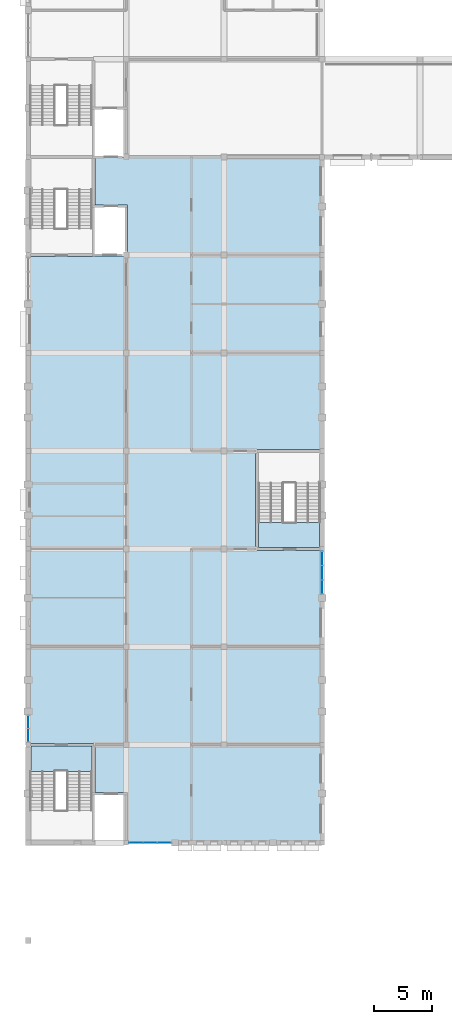
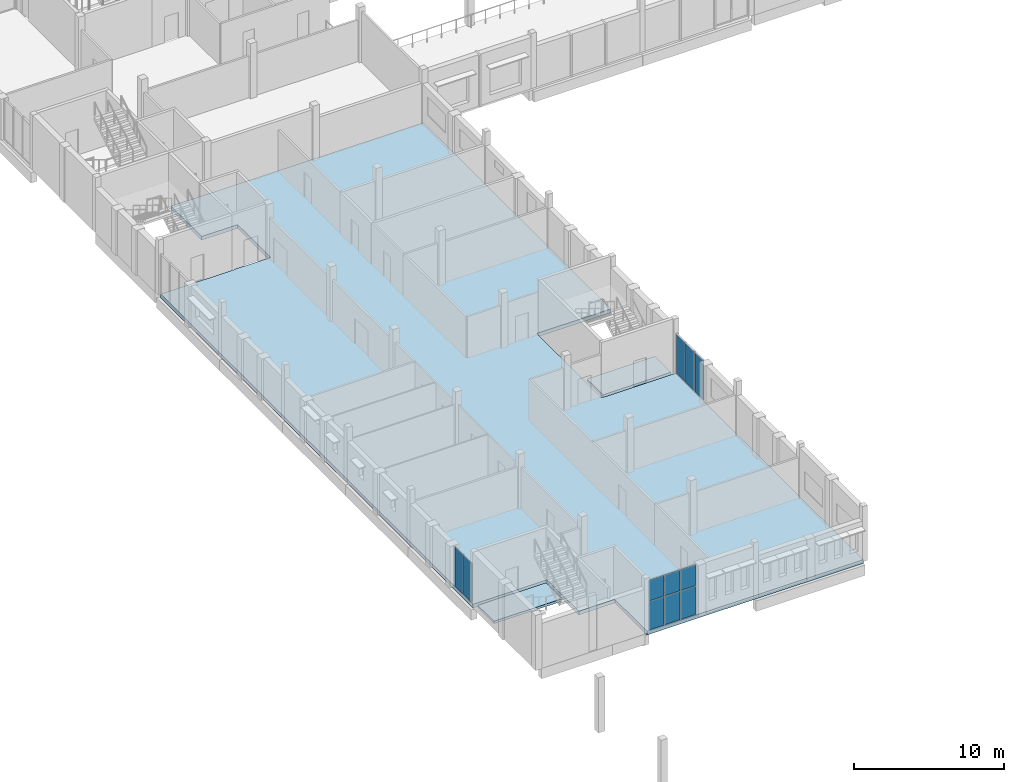
# One storey, part 19 of 38: 11 plates, 3 slabs, 5 elements without a shape of their own.
"""IFC4 building model written with IfcOpenShell, lengths in metres."""

from ifc_helpers import new_model, si_unit, direction, frame, origin, origin_2d, place, context, subcontext, project, spatial, polyline, rectangle, outline, extrude, material, layer, layer_set, type_object, element, aggregate, save


model = new_model("IFC4")

# Units and contexts
model_context = context("Model", 3, precision=1e-05, world=origin(), true_north=direction((0.0, 1.0)))
body_context = subcontext(model_context, "Body", "Model", "MODEL_VIEW")
ifc_project = project(units=[si_unit("LENGTHUNIT", "METRE"), si_unit("AREAUNIT", "SQUARE_METRE"), si_unit("VOLUMEUNIT", "CUBIC_METRE"), si_unit("PLANEANGLEUNIT", "RADIAN"), si_unit("MASSUNIT", "GRAM", prefix="KILO")], contexts=[model_context])

# Site, building, storey
site_placement = place(None, origin())
site = spatial("IfcSite", under=ifc_project, at=site_placement, CompositionType="ELEMENT")
building_placement = place(site_placement, origin())
building = spatial("IfcBuilding", under=site, at=building_placement, Name="Fescue Hill Polytechnic", CompositionType="ELEMENT")
storey_placement = place(building_placement, frame((0.0, 0.0, 18.0)))
storey = spatial("IfcBuildingStorey", under=building, at=storey_placement, Name="L04", CompositionType="ELEMENT", Elevation=18.0)

# Slab
ifc_material_1 = material(Name="Concrete 35 MPa", Category="concrete")
ifc_layer_1 = layer(ifc_material_1, 0.300048828125)
ifc_layer_set_1 = layer_set([ifc_layer_1], Name="Concrete 35 MPa")
slab_type_1 = type_object("IfcSlabType", Name="Floor slab 300", PredefinedType="FLOOR", material=ifc_layer_set_1)
slab_1_placement = place(storey_placement, frame((0.0, 0.0, -0.300048828125)))
element("IfcSlab", 1, at=slab_1_placement, inside=storey, type_object=slab_type_1, Name="SL-L04-V4-1", PredefinedType="FLOOR", context=body_context, shape_type="SweptSolid", body=[
    extrude(outline(polyline([(25.199951171875, 50.39990234375), (8.5, 50.39990234375), (8.5, 54.699951171875), (5.72509765625, 54.699951171875), (5.72509765625, 58.925048828125), (0.0, 58.925048828125), (0.0, 100.675048828125), (5.72509765625, 100.675048828125), (5.72509765625, 100.699951171875), (8.5, 100.699951171875), (8.5, 105.10009765625), (5.72509765625, 105.10009765625), (5.72509765625, 109.199951171875), (25.199951171875, 109.199951171875), (25.199951171875, 84.125), (19.47509765625, 84.125), (19.47509765625, 75.47509765625), (25.199951171875, 75.47509765625), (25.199951171875, 50.39990234375)])), origin(), (0.0, 0.0, 1.0), 0.300048828125),
])

# Curtain wall, plates
ifc_material_2 = material(Name="Glass", Category="glass")
curtain_wall_type = type_object("IfcCurtainWallType", Name="Curtain wall structural glazing", PredefinedType="NOTDEFINED", material=ifc_material_2)
curtain_wall_1_placement = place(storey_placement, origin())
curtain_wall_1 = element("IfcCurtainWall", 2, at=curtain_wall_1_placement, inside=storey, type_object=curtain_wall_type, Name="CW-L04-V4-X1", PredefinedType="NOTDEFINED")
ifc_layer_2 = layer(ifc_material_2, 0.028076171875)
ifc_layer_set_2 = layer_set([ifc_layer_2], Name="Glass")
plate_type = type_object("IfcPlateType", Name="Panel glazing 28", PredefinedType="CURTAIN_PANEL", material=ifc_layer_set_2)
plate_1_placement = place(storey_placement, frame((0.0, 60.760009765625, 0.06005859375), z_axis=(0.0, 0.0, 1.0), x_axis=(0.0, -1.0, 0.0)))
plate_1 = element("IfcPlate", 3, at=plate_1_placement, type_object=plate_type, Name="CW124 panel 1.1", PredefinedType="CURTAIN_PANEL", context=body_context, shape_type="SweptSolid", body=[
    extrude(rectangle(XDim=1.09326171875, YDim=0.028076171875, at=origin_2d()), origin(), (0.0, 0.0, 1.0), 3.2099609375),
])
plate_2_placement = place(storey_placement, frame((0.0, 59.606689453125, 0.06005859375), z_axis=(0.0, 0.0, 1.0), x_axis=(0.0, -1.0, 0.0)))
plate_2 = element("IfcPlate", 4, at=plate_2_placement, type_object=plate_type, Name="CW124 panel 2.1", PredefinedType="CURTAIN_PANEL", context=body_context, shape_type="SweptSolid", body=[
    extrude(rectangle(XDim=1.09326171875, YDim=0.028076171875, at=origin_2d()), origin(), (0.0, 0.0, 1.0), 3.2099609375),
])
aggregate(curtain_wall_1, [plate_1, plate_2])

curtain_wall_2_placement = place(storey_placement, origin())
curtain_wall_2 = element("IfcCurtainWall", 5, at=curtain_wall_2_placement, inside=storey, type_object=curtain_wall_type, Name="CW-L04-V4-X3", PredefinedType="NOTDEFINED")
plate_3_placement = place(storey_placement, frame((25.199951171875, 72.331787109375, 0.06005859375), z_axis=(0.0, 0.0, 1.0), x_axis=(0.0, 1.0, 0.0)))
plate_3 = element("IfcPlate", 6, at=plate_3_placement, type_object=plate_type, Name="CW137 panel 1.1", PredefinedType="CURTAIN_PANEL", context=body_context, shape_type="SweptSolid", body=[
    extrude(rectangle(XDim=1.143310546875, YDim=0.028076171875, at=origin_2d()), origin(), (0.0, 0.0, 1.0), 3.2099609375),
])
plate_4_placement = place(storey_placement, frame((25.199951171875, 73.550048828125, 0.06005859375), z_axis=(0.0, 0.0, 1.0), x_axis=(0.0, 1.0, 0.0)))
plate_4 = element("IfcPlate", 7, at=plate_4_placement, type_object=plate_type, Name="CW137 panel 2.1", PredefinedType="CURTAIN_PANEL", context=body_context, shape_type="SweptSolid", body=[
    extrude(rectangle(XDim=1.17333984375, YDim=0.028076171875, at=origin_2d()), origin(), (0.0, 0.0, 1.0), 3.2099609375),
])
plate_5_placement = place(storey_placement, frame((25.199951171875, 74.768310546875, 0.06005859375), z_axis=(0.0, 0.0, 1.0), x_axis=(0.0, 1.0, 0.0)))
plate_5 = element("IfcPlate", 8, at=plate_5_placement, type_object=plate_type, Name="CW137 panel 3.1", PredefinedType="CURTAIN_PANEL", context=body_context, shape_type="SweptSolid", body=[
    extrude(rectangle(XDim=1.143310546875, YDim=0.028076171875, at=origin_2d()), origin(), (0.0, 0.0, 1.0), 3.2099609375),
])
aggregate(curtain_wall_2, [plate_3, plate_4, plate_5])

curtain_wall_3_placement = place(storey_placement, origin())
curtain_wall_3 = element("IfcCurtainWall", 9, at=curtain_wall_3_placement, inside=storey, type_object=curtain_wall_type, Name="CW-L04-V4-X4", PredefinedType="NOTDEFINED")
plate_6_placement = place(storey_placement, frame((9.231689453125, 50.39990234375, 0.06005859375), z_axis=(0.0, 0.0, 1.0), x_axis=(1.0, 0.0, 0.0)))
plate_6 = element("IfcPlate", 10, at=plate_6_placement, type_object=plate_type, Name="CW142 panel 1.1", PredefinedType="CURTAIN_PANEL", context=body_context, shape_type="SweptSolid", body=[
    extrude(rectangle(XDim=1.143310546875, YDim=0.028076171875, at=origin_2d()), origin(), (0.0, 0.0, 1.0), 2.31005859375),
])
plate_7_placement = place(storey_placement, frame((9.231689453125, 50.39990234375, 2.429931640625), z_axis=(0.0, 0.0, 1.0), x_axis=(1.0, 0.0, 0.0)))
plate_7 = element("IfcPlate", 11, at=plate_7_placement, type_object=plate_type, Name="CW142 panel 1.2", PredefinedType="CURTAIN_PANEL", context=body_context, shape_type="SweptSolid", body=[
    extrude(rectangle(XDim=1.143310546875, YDim=0.028076171875, at=origin_2d()), origin(), (0.0, 0.0, 1.0), 1.68994140625),
])
plate_8_placement = place(storey_placement, frame((10.449951171875, 50.39990234375, 0.06005859375), z_axis=(0.0, 0.0, 1.0), x_axis=(1.0, 0.0, 0.0)))
plate_8 = element("IfcPlate", 12, at=plate_8_placement, type_object=plate_type, Name="CW142 panel 2.1", PredefinedType="CURTAIN_PANEL", context=body_context, shape_type="SweptSolid", body=[
    extrude(rectangle(XDim=1.17333984375, YDim=0.028076171875, at=origin_2d()), origin(), (0.0, 0.0, 1.0), 2.31005859375),
])
plate_9_placement = place(storey_placement, frame((10.449951171875, 50.39990234375, 2.429931640625), z_axis=(0.0, 0.0, 1.0), x_axis=(1.0, 0.0, 0.0)))
plate_9 = element("IfcPlate", 13, at=plate_9_placement, type_object=plate_type, Name="CW142 panel 2.2", PredefinedType="CURTAIN_PANEL", context=body_context, shape_type="SweptSolid", body=[
    extrude(rectangle(XDim=1.17333984375, YDim=0.028076171875, at=origin_2d()), origin(), (0.0, 0.0, 1.0), 1.68994140625),
])
plate_10_placement = place(storey_placement, frame((11.668212890625, 50.39990234375, 0.06005859375), z_axis=(0.0, 0.0, 1.0), x_axis=(1.0, 0.0, 0.0)))
plate_10 = element("IfcPlate", 14, at=plate_10_placement, type_object=plate_type, Name="CW142 panel 3.1", PredefinedType="CURTAIN_PANEL", context=body_context, shape_type="SweptSolid", body=[
    extrude(rectangle(XDim=1.143310546875, YDim=0.028076171875, at=origin_2d()), origin(), (0.0, 0.0, 1.0), 2.31005859375),
])
plate_11_placement = place(storey_placement, frame((11.668212890625, 50.39990234375, 2.429931640625), z_axis=(0.0, 0.0, 1.0), x_axis=(1.0, 0.0, 0.0)))
plate_11 = element("IfcPlate", 15, at=plate_11_placement, type_object=plate_type, Name="CW142 panel 3.2", PredefinedType="CURTAIN_PANEL", context=body_context, shape_type="SweptSolid", body=[
    extrude(rectangle(XDim=1.143310546875, YDim=0.028076171875, at=origin_2d()), origin(), (0.0, 0.0, 1.0), 1.68994140625),
])
aggregate(curtain_wall_3, [plate_6, plate_7, plate_8, plate_9, plate_10, plate_11])

# Stair, slab
stair_type = type_object("IfcStairType", Name="Half-turn stair 2150 flights", PredefinedType="HALF_TURN_STAIR", material=ifc_material_1)
stair_1_placement = place(storey_placement, origin())
stair_1 = element("IfcStair", 16, at=stair_1_placement, inside=storey, type_object=stair_type, Name="L04 ST-V4-1 stair", PredefinedType="HALF_TURN_STAIR")
ifc_layer_3 = layer(ifc_material_1, 0.199951171875)
ifc_layer_set_3 = layer_set([ifc_layer_3], Name="Concrete 35 MPa")
slab_type_2 = type_object("IfcSlabType", Name="Stair landing slab 200", PredefinedType="LANDING", material=ifc_layer_set_3)
slab_2_placement = place(storey_placement, frame((0.0, 0.0, -0.199951171875)))
slab_2 = element("IfcSlab", 17, at=slab_2_placement, type_object=slab_type_2, Name="S15 landing 2", PredefinedType="LANDING", context=body_context, shape_type="SweptSolid", body=[
    extrude(outline(polyline([(0.22509765625, 56.52490234375), (5.47509765625, 56.52490234375), (5.47509765625, 58.675048828125), (0.22509765625, 58.675048828125), (0.22509765625, 56.52490234375)])), origin(), (0.0, 0.0, 1.0), 0.199951171875),
])
aggregate(stair_1, [slab_2])

stair_2_placement = place(storey_placement, origin())
stair_2 = element("IfcStair", 18, at=stair_2_placement, inside=storey, type_object=stair_type, Name="L04 ST-V4-3 stair", PredefinedType="HALF_TURN_STAIR")
slab_3_placement = place(storey_placement, frame((0.0, 0.0, -0.199951171875)))
slab_3 = element("IfcSlab", 19, at=slab_3_placement, type_object=slab_type_2, Name="S17 landing 2", PredefinedType="LANDING", context=body_context, shape_type="SweptSolid", body=[
    extrude(outline(polyline([(19.72509765625, 75.72509765625), (24.97509765625, 75.72509765625), (24.97509765625, 77.875), (19.72509765625, 77.875), (19.72509765625, 75.72509765625)])), origin(), (0.0, 0.0, 1.0), 0.199951171875),
])
aggregate(stair_2, [slab_3])

save(model, "model.ifc")
